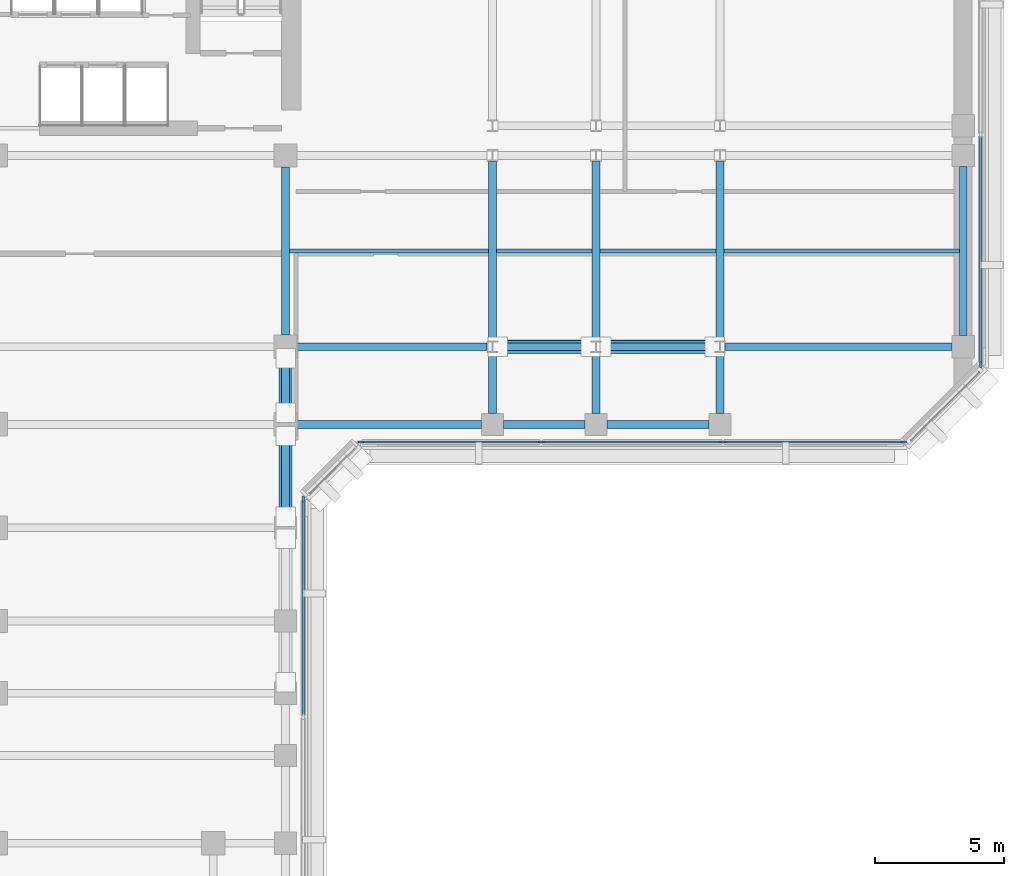
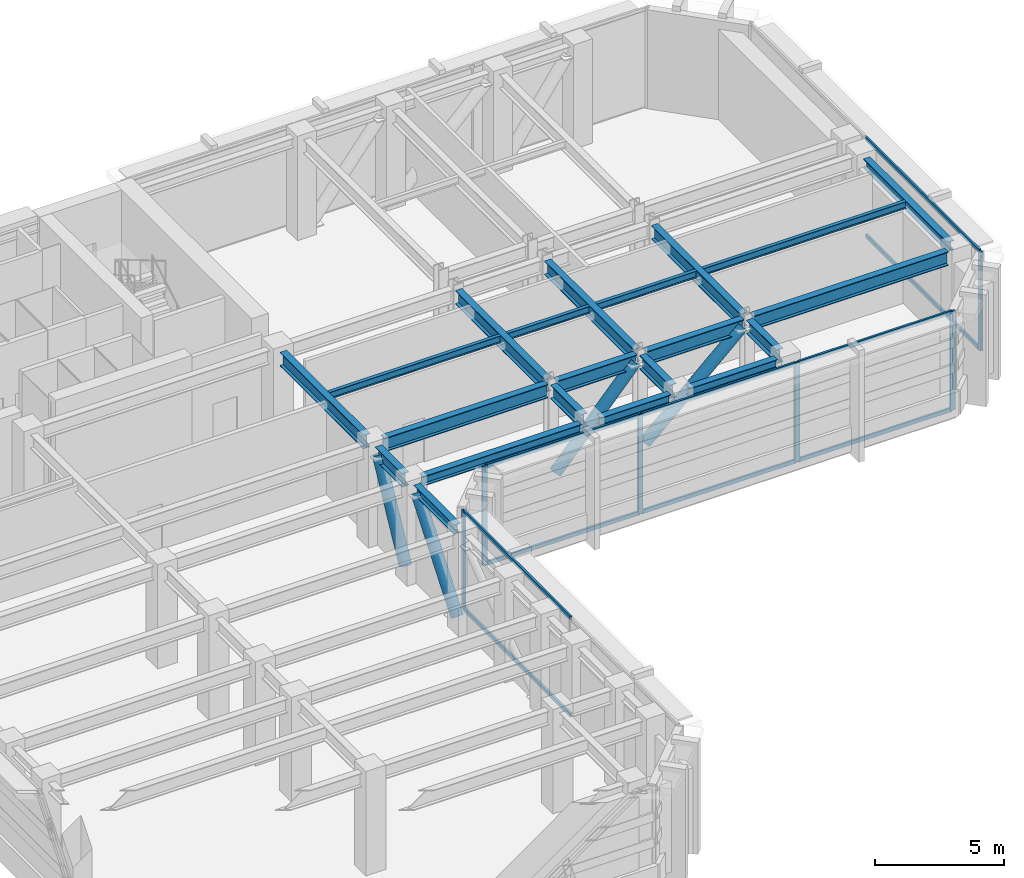
# One storey, part 3 of 12: 21 beams, 20 members, 3 elements without a shape of their own.
"""IFC4 building model written with IfcOpenShell, lengths in metres."""

from ifc_helpers import new_model, si_unit, direction, frame, origin, origin_2d, place, context, subcontext, project, spatial, rectangle, hollow_circle, i_section, extrude, material, layer, layer_set, material_profile, profile_set, type_object, element, aggregate, save


model = new_model("IFC4")

# Units and contexts
model_context = context("Model", 3, precision=1e-05, world=origin(), true_north=direction((0.0, 1.0)))
body_context = subcontext(model_context, "Body", "Model", "MODEL_VIEW")
ifc_project = project(units=[si_unit("LENGTHUNIT", "METRE"), si_unit("AREAUNIT", "SQUARE_METRE"), si_unit("VOLUMEUNIT", "CUBIC_METRE"), si_unit("PLANEANGLEUNIT", "RADIAN"), si_unit("MASSUNIT", "GRAM", prefix="KILO")], contexts=[model_context])

# Site, building, storey
site_placement = place(None, origin())
site = spatial("IfcSite", under=ifc_project, at=site_placement, CompositionType="ELEMENT")
building_placement = place(site_placement, origin())
building = spatial("IfcBuilding", under=site, at=building_placement, Name="Kefirva Bronze Tower", CompositionType="ELEMENT")
storey_placement = place(building_placement, frame((0.0, 0.0, 174.570068359375)))
storey = spatial("IfcBuildingStorey", under=building, at=storey_placement, Name="L42", CompositionType="ELEMENT", Elevation=174.570068359375)

# Curtain wall, member
ifc_material_1 = material(Name="Bronze anodised aluminium", Category="aluminium")
ifc_layer = layer(ifc_material_1, 0.219970703125, Name="Bronze anodised aluminium")
ifc_layer_set = layer_set([ifc_layer], Name="Bronze anodised aluminium")
curtain_wall_type = type_object("IfcCurtainWallType", Name="Refuge Acoustic Louvre Curtain Screen", PredefinedType="USERDEFINED", material=ifc_layer_set)
curtain_wall_1_placement = place(storey_placement, origin())
curtain_wall_1 = element("IfcCurtainWall", 1, at=curtain_wall_1_placement, inside=storey, type_object=curtain_wall_type, Name="L42 Curtain Wall 2", ObjectType="LOUVRE SCREEN WALL", PredefinedType="USERDEFINED")
ifc_material_profile_1 = material_profile(ifc_material_1, rectangle(XDim=0.090087890625, YDim=0.219970703125, at=origin_2d()), Name="ALU 90x220")
ifc_profile_set_1 = profile_set([ifc_material_profile_1], Name="Bronze anodised aluminium")
member_type_1 = type_object("IfcMemberType", Name="Bronze Mullion 90x220", PredefinedType="MULLION", material=ifc_profile_set_1)
member_1_placement = place(storey_placement, frame((23.8798828125, 19.89990234375, 0.0), z_axis=(0.0, 0.0, 1.0), x_axis=(-1.0, 0.0, 0.0)))
member_1 = element("IfcMember", 2, at=member_1_placement, type_object=member_type_1, Name="CW-06 mullion 3", PredefinedType="MULLION", context=body_context, shape_type="SweptSolid", body=[
    extrude(rectangle(XDim=0.090087890625, YDim=0.219970703125, at=origin_2d()), origin(), (0.0, 0.0, 1.0), 4.699951171875),
])

# Curtain wall, members
curtain_wall_2_placement = place(storey_placement, origin())
curtain_wall_2 = element("IfcCurtainWall", 3, at=curtain_wall_2_placement, inside=storey, type_object=curtain_wall_type, Name="L42 Curtain Wall 3", ObjectType="LOUVRE SCREEN WALL", PredefinedType="USERDEFINED")
member_2_placement = place(storey_placement, frame((26.10009765625, 22.1201171875, 0.0), z_axis=(0.0, 0.0, 1.0), x_axis=(0.0, 1.0, 0.0)))
member_2 = element("IfcMember", 4, at=member_2_placement, type_object=member_type_1, Name="CW-06 mullion 1", PredefinedType="MULLION", context=body_context, shape_type="SweptSolid", body=[
    extrude(rectangle(XDim=0.090087890625, YDim=0.219970703125, at=origin_2d()), origin(), (0.0, 0.0, 1.0), 4.699951171875),
])
member_3_placement = place(storey_placement, frame((33.0849609375, 22.1201171875, 0.0), z_axis=(0.0, 0.0, 1.0), x_axis=(0.0, 1.0, 0.0)))
member_3 = element("IfcMember", 5, at=member_3_placement, type_object=member_type_1, Name="CW-06 mullion 2", PredefinedType="MULLION", context=body_context, shape_type="SweptSolid", body=[
    extrude(rectangle(XDim=0.090087890625, YDim=0.219970703125, at=origin_2d()), origin(), (0.0, 0.0, 1.0), 4.699951171875),
])
member_4_placement = place(storey_placement, frame((40.114990234375, 22.1201171875, 0.0), z_axis=(0.0, 0.0, 1.0), x_axis=(0.0, 1.0, 0.0)))
member_4 = element("IfcMember", 6, at=member_4_placement, type_object=member_type_1, Name="CW-06 mullion 3", PredefinedType="MULLION", context=body_context, shape_type="SweptSolid", body=[
    extrude(rectangle(XDim=0.090087890625, YDim=0.219970703125, at=origin_2d()), origin(), (0.0, 0.0, 1.0), 4.699951171875),
])
member_5_placement = place(storey_placement, frame((47.10009765625, 22.1201171875, 0.0), z_axis=(0.0, 0.0, 1.0), x_axis=(0.0, 1.0, 0.0)))
member_5 = element("IfcMember", 7, at=member_5_placement, type_object=member_type_1, Name="CW-06 mullion 4", PredefinedType="MULLION", context=body_context, shape_type="SweptSolid", body=[
    extrude(rectangle(XDim=0.090087890625, YDim=0.219970703125, at=origin_2d()), origin(), (0.0, 0.0, 1.0), 4.699951171875),
])

# Curtain wall, member
curtain_wall_3_placement = place(storey_placement, origin())
curtain_wall_3 = element("IfcCurtainWall", 8, at=curtain_wall_3_placement, inside=storey, type_object=curtain_wall_type, Name="L42 Curtain Wall 4", ObjectType="LOUVRE SCREEN WALL", PredefinedType="USERDEFINED")
member_6_placement = place(storey_placement, frame((50.080078125, 25.10009765625, 0.0), z_axis=(0.0, 0.0, 1.0), x_axis=(-1.0, 0.0, 0.0)))
member_6 = element("IfcMember", 9, at=member_6_placement, type_object=member_type_1, Name="CW-06 mullion 1", PredefinedType="MULLION", context=body_context, shape_type="SweptSolid", body=[
    extrude(rectangle(XDim=0.090087890625, YDim=0.219970703125, at=origin_2d()), origin(), (0.0, 0.0, 1.0), 4.699951171875),
])

# Member
ifc_material_profile_2 = material_profile(ifc_material_1, rectangle(XDim=0.090087890625, YDim=0.179931640625, at=origin_2d()), Name="ALU 90x180")
ifc_profile_set_2 = profile_set([ifc_material_profile_2], Name="Bronze anodised aluminium")
member_type_2 = type_object("IfcMemberType", Name="Bronze Transom 90x180", PredefinedType="USERDEFINED", material=ifc_profile_set_2)
member_7_placement = place(storey_placement, frame((23.8798828125, 11.544921875, 0.044921875), z_axis=(0.0, 1.0, 0.0), x_axis=(-1.0, 0.0, 0.0)))
member_7 = element("IfcMember", 10, at=member_7_placement, type_object=member_type_2, Name="CW-06 transom 2.1", ObjectType="TRANSOM", PredefinedType="USERDEFINED", context=body_context, shape_type="SweptSolid", body=[
    extrude(rectangle(XDim=0.090087890625, YDim=0.179931640625, at=origin_2d()), origin(), (0.0, 0.0, 1.0), 8.31005859375),
])

member_8_placement = place(storey_placement, frame((23.8798828125, 11.544921875, 4.655029296875), z_axis=(0.0, 1.0, 0.0), x_axis=(-1.0, 0.0, 0.0)))
member_8 = element("IfcMember", 11, at=member_8_placement, type_object=member_type_2, Name="CW-06 transom 2.2", ObjectType="TRANSOM", PredefinedType="USERDEFINED", context=body_context, shape_type="SweptSolid", body=[
    extrude(rectangle(XDim=0.090087890625, YDim=0.179931640625, at=origin_2d()), origin(), (0.0, 0.0, 1.0), 8.31005859375),
])

aggregate(curtain_wall_1, [member_1, member_7, member_8])

member_9_placement = place(storey_placement, frame((26.14501953125, 22.1201171875, 0.044921875), z_axis=(1.0, 0.0, 0.0), x_axis=(0.0, 1.0, 0.0)))
member_9 = element("IfcMember", 12, at=member_9_placement, type_object=member_type_2, Name="CW-06 transom 1.1", ObjectType="TRANSOM", PredefinedType="USERDEFINED", context=body_context, shape_type="SweptSolid", body=[
    extrude(rectangle(XDim=0.090087890625, YDim=0.179931640625, at=origin_2d()), origin(), (0.0, 0.0, 1.0), 6.89501953125),
])

member_10_placement = place(storey_placement, frame((26.14501953125, 22.1201171875, 4.655029296875), z_axis=(1.0, 0.0, 0.0), x_axis=(0.0, 1.0, 0.0)))
member_10 = element("IfcMember", 13, at=member_10_placement, type_object=member_type_2, Name="CW-06 transom 1.2", ObjectType="TRANSOM", PredefinedType="USERDEFINED", context=body_context, shape_type="SweptSolid", body=[
    extrude(rectangle(XDim=0.090087890625, YDim=0.179931640625, at=origin_2d()), origin(), (0.0, 0.0, 1.0), 6.89501953125),
])

member_11_placement = place(storey_placement, frame((33.1298828125, 22.1201171875, 0.044921875), z_axis=(1.0, 0.0, 0.0), x_axis=(0.0, 1.0, 0.0)))
member_11 = element("IfcMember", 14, at=member_11_placement, type_object=member_type_2, Name="CW-06 transom 2.1", ObjectType="TRANSOM", PredefinedType="USERDEFINED", context=body_context, shape_type="SweptSolid", body=[
    extrude(rectangle(XDim=0.090087890625, YDim=0.179931640625, at=origin_2d()), origin(), (0.0, 0.0, 1.0), 6.940185546875),
])

member_12_placement = place(storey_placement, frame((33.1298828125, 22.1201171875, 4.655029296875), z_axis=(1.0, 0.0, 0.0), x_axis=(0.0, 1.0, 0.0)))
member_12 = element("IfcMember", 15, at=member_12_placement, type_object=member_type_2, Name="CW-06 transom 2.2", ObjectType="TRANSOM", PredefinedType="USERDEFINED", context=body_context, shape_type="SweptSolid", body=[
    extrude(rectangle(XDim=0.090087890625, YDim=0.179931640625, at=origin_2d()), origin(), (0.0, 0.0, 1.0), 6.940185546875),
])

member_13_placement = place(storey_placement, frame((40.159912109375, 22.1201171875, 0.044921875), z_axis=(1.0, 0.0, 0.0), x_axis=(0.0, 1.0, 0.0)))
member_13 = element("IfcMember", 16, at=member_13_placement, type_object=member_type_2, Name="CW-06 transom 3.1", ObjectType="TRANSOM", PredefinedType="USERDEFINED", context=body_context, shape_type="SweptSolid", body=[
    extrude(rectangle(XDim=0.090087890625, YDim=0.179931640625, at=origin_2d()), origin(), (0.0, 0.0, 1.0), 6.89501953125),
])

member_14_placement = place(storey_placement, frame((40.159912109375, 22.1201171875, 4.655029296875), z_axis=(1.0, 0.0, 0.0), x_axis=(0.0, 1.0, 0.0)))
member_14 = element("IfcMember", 17, at=member_14_placement, type_object=member_type_2, Name="CW-06 transom 3.2", ObjectType="TRANSOM", PredefinedType="USERDEFINED", context=body_context, shape_type="SweptSolid", body=[
    extrude(rectangle(XDim=0.090087890625, YDim=0.179931640625, at=origin_2d()), origin(), (0.0, 0.0, 1.0), 6.89501953125),
])

aggregate(curtain_wall_2, [member_2, member_3, member_4, member_5, member_9, member_10, member_11, member_12, member_13, member_14])

member_15_placement = place(storey_placement, frame((50.080078125, 25.14501953125, 0.044921875), z_axis=(0.0, 1.0, 0.0), x_axis=(-1.0, 0.0, 0.0)))
member_15 = element("IfcMember", 18, at=member_15_placement, type_object=member_type_2, Name="CW-06 transom 1.1", ObjectType="TRANSOM", PredefinedType="USERDEFINED", context=body_context, shape_type="SweptSolid", body=[
    extrude(rectangle(XDim=0.090087890625, YDim=0.179931640625, at=origin_2d()), origin(), (0.0, 0.0, 1.0), 8.81005859375),
])

member_16_placement = place(storey_placement, frame((50.080078125, 25.14501953125, 4.655029296875), z_axis=(0.0, 1.0, 0.0), x_axis=(-1.0, 0.0, 0.0)))
member_16 = element("IfcMember", 19, at=member_16_placement, type_object=member_type_2, Name="CW-06 transom 1.2", ObjectType="TRANSOM", PredefinedType="USERDEFINED", context=body_context, shape_type="SweptSolid", body=[
    extrude(rectangle(XDim=0.090087890625, YDim=0.179931640625, at=origin_2d()), origin(), (0.0, 0.0, 1.0), 8.81005859375),
])

aggregate(curtain_wall_3, [member_6, member_15, member_16])

# Members
ifc_material_2 = material(Name="Steel S460", Category="steel")
ifc_material_profile_3 = material_profile(ifc_material_2, hollow_circle(Radius=0.25390625, WallThickness=0.02001953125, at=origin_2d()), Name="CHS 508x20")
ifc_profile_set_3 = profile_set([ifc_material_profile_3], Name="Steel S460")
member_type_3 = type_object("IfcMemberType", Name="Steel Belt Brace CHS 508x20", PredefinedType="BRACE", material=ifc_profile_set_3)
member_17_placement = place(storey_placement, frame((23.199951171875, 19.22998046875, 0.300048828125), z_axis=(0.0, 0.615046160893, 0.788491103292), x_axis=(-1.0, 0.0, 0.0)))
element("IfcMember", 20, at=member_17_placement, inside=storey, type_object=member_type_3, Name="L42 Outrigger Belt Brace 6", PredefinedType="BRACE", context=body_context, shape_type="SweptSolid", body=[
    extrude(hollow_circle(Radius=0.25390625, WallThickness=0.02001953125, at=origin_2d()), origin(), (0.0, 0.0, 1.0), 5.072998046875),
])
member_18_placement = place(storey_placement, frame((23.199951171875, 23.25, 0.300048828125), z_axis=(0.0, 0.464850844279, 0.885389006355), x_axis=(-1.0, 0.0, 0.0)))
element("IfcMember", 21, at=member_18_placement, inside=storey, type_object=member_type_3, Name="L42 Outrigger Belt Brace 7", PredefinedType="BRACE", context=body_context, shape_type="SweptSolid", body=[
    extrude(hollow_circle(Radius=0.25390625, WallThickness=0.02001953125, at=origin_2d()), origin(), (0.0, 0.0, 1.0), 4.517822265625),
])
member_19_placement = place(storey_placement, frame((31.408935546875, 25.800048828125, 0.300048828125), z_axis=(0.66711377738, 0.0, 0.744955843007), x_axis=(0.0, 1.0, 0.0)))
element("IfcMember", 22, at=member_19_placement, inside=storey, type_object=member_type_3, Name="L42 Outrigger Belt Brace 8", PredefinedType="BRACE", context=body_context, shape_type="SweptSolid", body=[
    extrude(hollow_circle(Radius=0.25390625, WallThickness=0.02001953125, at=origin_2d()), origin(), (0.0, 0.0, 1.0), 5.369384765625),
])
member_20_placement = place(storey_placement, frame((35.408935546875, 25.800048828125, 0.300048828125), z_axis=(0.738571899418, 0.0, 0.674174717258), x_axis=(0.0, 1.0, 0.0)))
element("IfcMember", 23, at=member_20_placement, inside=storey, type_object=member_type_3, Name="L42 Outrigger Belt Brace 9", PredefinedType="BRACE", context=body_context, shape_type="SweptSolid", body=[
    extrude(hollow_circle(Radius=0.25390625, WallThickness=0.02001953125, at=origin_2d()), origin(), (0.0, 0.0, 1.0), 5.93310546875),
])

# Beams
ifc_material_3 = material(Name="Steel S355", Category="steel")
ifc_material_profile_4 = material_profile(ifc_material_3, i_section(OverallWidth=0.159912109375, OverallDepth=0.330078125, WebThickness=0.007568359375, FlangeThickness=0.011474609375, at=origin_2d()), Name="IPE 330")
ifc_profile_set_4 = profile_set([ifc_material_profile_4], Name="Steel S355")
beam_type_1 = type_object("IfcBeamType", Name="Steel Floor Joist IPE 330", PredefinedType="JOIST", material=ifc_profile_set_4)
beam_1_placement = place(storey_placement, frame((23.35009765625, 29.5, 4.534912109375), z_axis=(1.0, 0.0, 0.0), x_axis=(0.0, 1.0, 0.0)))
element("IfcBeam", 24, at=beam_1_placement, inside=storey, type_object=beam_type_1, Name="L42 JST-L42-23-295", PredefinedType="JOIST", context=body_context, shape_type="SweptSolid", body=[
    extrude(i_section(OverallWidth=0.159912109375, OverallDepth=0.330078125, WebThickness=0.007568359375, FlangeThickness=0.011474609375, at=origin_2d()), origin(), (0.0, 0.0, 1.0), 7.699951171875),
])
beam_2_placement = place(storey_placement, frame((31.35009765625, 29.5, 4.534912109375), z_axis=(1.0, 0.0, 0.0), x_axis=(0.0, 1.0, 0.0)))
element("IfcBeam", 25, at=beam_2_placement, inside=storey, type_object=beam_type_1, Name="L42 JST-L42-31-295", PredefinedType="JOIST", context=body_context, shape_type="SweptSolid", body=[
    extrude(i_section(OverallWidth=0.159912109375, OverallDepth=0.330078125, WebThickness=0.007568359375, FlangeThickness=0.011474609375, at=origin_2d()), origin(), (0.0, 0.0, 1.0), 3.699951171875),
])
beam_3_placement = place(storey_placement, frame((35.35009765625, 29.5, 4.534912109375), z_axis=(1.0, 0.0, 0.0), x_axis=(0.0, 1.0, 0.0)))
element("IfcBeam", 26, at=beam_3_placement, inside=storey, type_object=beam_type_1, Name="L42 JST-L42-35-295", PredefinedType="JOIST", context=body_context, shape_type="SweptSolid", body=[
    extrude(i_section(OverallWidth=0.159912109375, OverallDepth=0.330078125, WebThickness=0.007568359375, FlangeThickness=0.011474609375, at=origin_2d()), origin(), (0.0, 0.0, 1.0), 4.5),
])
beam_4_placement = place(storey_placement, frame((40.14990234375, 29.5, 4.534912109375), z_axis=(1.0, 0.0, 0.0), x_axis=(0.0, 1.0, 0.0)))
element("IfcBeam", 27, at=beam_4_placement, inside=storey, type_object=beam_type_1, Name="L42 JST-L42-40-295", PredefinedType="JOIST", context=body_context, shape_type="SweptSolid", body=[
    extrude(i_section(OverallWidth=0.159912109375, OverallDepth=0.330078125, WebThickness=0.007568359375, FlangeThickness=0.011474609375, at=origin_2d()), origin(), (0.0, 0.0, 1.0), 9.10009765625),
])
ifc_material_profile_5 = material_profile(ifc_material_3, i_section(OverallWidth=0.300048828125, OverallDepth=0.64990234375, WebThickness=0.01611328125, FlangeThickness=0.031005859375, at=origin_2d()), Name="HEB 650")
ifc_profile_set_5 = profile_set([ifc_material_profile_5], Name="Steel S355")
beam_type_2 = type_object("IfcBeamType", Name="Steel Girder HEB 650", PredefinedType="USERDEFINED", material=ifc_profile_set_5)
beam_5_placement = place(storey_placement, frame((23.64990234375, 25.800048828125, 4.375), z_axis=(1.0, 0.0, 0.0), x_axis=(0.0, 1.0, 0.0)))
element("IfcBeam", 28, at=beam_5_placement, inside=storey, type_object=beam_type_2, Name="L42 BM-L42-EW-23-258", ObjectType="GIRDER", PredefinedType="USERDEFINED", context=body_context, shape_type="SweptSolid", body=[
    extrude(i_section(OverallWidth=0.300048828125, OverallDepth=0.64990234375, WebThickness=0.01611328125, FlangeThickness=0.031005859375, at=origin_2d()), origin(), (0.0, 0.0, 1.0), 7.341064453125),
])
beam_6_placement = place(storey_placement, frame((31.408935546875, 25.800048828125, 4.375), z_axis=(1.0, 0.0, 0.0), x_axis=(0.0, 1.0, 0.0)))
element("IfcBeam", 29, at=beam_6_placement, inside=storey, type_object=beam_type_2, Name="L42 BM-L42-EW-31-258", ObjectType="GIRDER", PredefinedType="USERDEFINED", context=body_context, shape_type="SweptSolid", body=[
    extrude(i_section(OverallWidth=0.300048828125, OverallDepth=0.64990234375, WebThickness=0.01611328125, FlangeThickness=0.031005859375, at=origin_2d()), origin(), (0.0, 0.0, 1.0), 3.58203125),
])
beam_7_placement = place(storey_placement, frame((35.408935546875, 25.800048828125, 4.375), z_axis=(1.0, 0.0, 0.0), x_axis=(0.0, 1.0, 0.0)))
element("IfcBeam", 30, at=beam_7_placement, inside=storey, type_object=beam_type_2, Name="L42 BM-L42-EW-35-258", ObjectType="GIRDER", PredefinedType="USERDEFINED", context=body_context, shape_type="SweptSolid", body=[
    extrude(i_section(OverallWidth=0.300048828125, OverallDepth=0.64990234375, WebThickness=0.01611328125, FlangeThickness=0.031005859375, at=origin_2d()), origin(), (0.0, 0.0, 1.0), 4.382080078125),
])
beam_8_placement = place(storey_placement, frame((40.208984375, 25.800048828125, 4.375), z_axis=(1.0, 0.0, 0.0), x_axis=(0.0, 1.0, 0.0)))
element("IfcBeam", 31, at=beam_8_placement, inside=storey, type_object=beam_type_2, Name="L42 BM-L42-EW-40-258", ObjectType="GIRDER", PredefinedType="USERDEFINED", context=body_context, shape_type="SweptSolid", body=[
    extrude(i_section(OverallWidth=0.300048828125, OverallDepth=0.64990234375, WebThickness=0.01611328125, FlangeThickness=0.031005859375, at=origin_2d()), origin(), (0.0, 0.0, 1.0), 8.760986328125),
])
beam_9_placement = place(storey_placement, frame((23.199951171875, 23.25, 4.375), z_axis=(0.0, 1.0, 0.0), x_axis=(-1.0, 0.0, 0.0)))
element("IfcBeam", 32, at=beam_9_placement, inside=storey, type_object=beam_type_2, Name="L42 BM-L42-NS-232-22", ObjectType="GIRDER", PredefinedType="USERDEFINED", context=body_context, shape_type="SweptSolid", body=[
    extrude(i_section(OverallWidth=0.300048828125, OverallDepth=0.64990234375, WebThickness=0.01611328125, FlangeThickness=0.031005859375, at=origin_2d()), origin(), (0.0, 0.0, 1.0), 2.10009765625),
])
beam_10_placement = place(storey_placement, frame((23.199951171875, 26.25, 4.375), z_axis=(0.0, 1.0, 0.0), x_axis=(-1.0, 0.0, 0.0)))
element("IfcBeam", 33, at=beam_10_placement, inside=storey, type_object=beam_type_2, Name="L42 BM-L42-NS-232-25", ObjectType="GIRDER", PredefinedType="USERDEFINED", context=body_context, shape_type="SweptSolid", body=[
    extrude(i_section(OverallWidth=0.300048828125, OverallDepth=0.64990234375, WebThickness=0.01611328125, FlangeThickness=0.031005859375, at=origin_2d()), origin(), (0.0, 0.0, 1.0), 6.5),
])
beam_11_placement = place(storey_placement, frame((31.199951171875, 23.22998046875, 4.375), z_axis=(0.0, 1.0, 0.0), x_axis=(-1.0, 0.0, 0.0)))
element("IfcBeam", 34, at=beam_11_placement, inside=storey, type_object=beam_type_2, Name="L42 BM-L42-NS-312-22", ObjectType="GIRDER", PredefinedType="USERDEFINED", context=body_context, shape_type="SweptSolid", body=[
    extrude(i_section(OverallWidth=0.300048828125, OverallDepth=0.64990234375, WebThickness=0.01611328125, FlangeThickness=0.031005859375, at=origin_2d()), origin(), (0.0, 0.0, 1.0), 2.342529296875),
])
beam_12_placement = place(storey_placement, frame((31.199951171875, 26.027587890625, 4.375), z_axis=(0.0, 1.0, 0.0), x_axis=(-1.0, 0.0, 0.0)))
element("IfcBeam", 35, at=beam_12_placement, inside=storey, type_object=beam_type_2, Name="L42 BM-L42-NS-312-25", ObjectType="GIRDER", PredefinedType="USERDEFINED", context=body_context, shape_type="SweptSolid", body=[
    extrude(i_section(OverallWidth=0.300048828125, OverallDepth=0.64990234375, WebThickness=0.01611328125, FlangeThickness=0.031005859375, at=origin_2d()), origin(), (0.0, 0.0, 1.0), 6.94482421875),
])
beam_13_placement = place(storey_placement, frame((35.199951171875, 23.22998046875, 4.375), z_axis=(0.0, 1.0, 0.0), x_axis=(-1.0, 0.0, 0.0)))
element("IfcBeam", 36, at=beam_13_placement, inside=storey, type_object=beam_type_2, Name="L42 BM-L42-NS-352-22", ObjectType="GIRDER", PredefinedType="USERDEFINED", context=body_context, shape_type="SweptSolid", body=[
    extrude(i_section(OverallWidth=0.300048828125, OverallDepth=0.64990234375, WebThickness=0.01611328125, FlangeThickness=0.031005859375, at=origin_2d()), origin(), (0.0, 0.0, 1.0), 2.342529296875),
])
beam_14_placement = place(storey_placement, frame((35.199951171875, 26.027587890625, 4.375), z_axis=(0.0, 1.0, 0.0), x_axis=(-1.0, 0.0, 0.0)))
element("IfcBeam", 37, at=beam_14_placement, inside=storey, type_object=beam_type_2, Name="L42 BM-L42-NS-352-25", ObjectType="GIRDER", PredefinedType="USERDEFINED", context=body_context, shape_type="SweptSolid", body=[
    extrude(i_section(OverallWidth=0.300048828125, OverallDepth=0.64990234375, WebThickness=0.01611328125, FlangeThickness=0.031005859375, at=origin_2d()), origin(), (0.0, 0.0, 1.0), 6.94482421875),
])
beam_15_placement = place(storey_placement, frame((40.0, 23.22998046875, 4.375), z_axis=(0.0, 1.0, 0.0), x_axis=(-1.0, 0.0, 0.0)))
element("IfcBeam", 38, at=beam_15_placement, inside=storey, type_object=beam_type_2, Name="L42 BM-L42-NS-400-22", ObjectType="GIRDER", PredefinedType="USERDEFINED", context=body_context, shape_type="SweptSolid", body=[
    extrude(i_section(OverallWidth=0.300048828125, OverallDepth=0.64990234375, WebThickness=0.01611328125, FlangeThickness=0.031005859375, at=origin_2d()), origin(), (0.0, 0.0, 1.0), 2.342529296875),
])
beam_16_placement = place(storey_placement, frame((40.0, 26.027587890625, 4.375), z_axis=(0.0, 1.0, 0.0), x_axis=(-1.0, 0.0, 0.0)))
element("IfcBeam", 39, at=beam_16_placement, inside=storey, type_object=beam_type_2, Name="L42 BM-L42-NS-400-25", ObjectType="GIRDER", PredefinedType="USERDEFINED", context=body_context, shape_type="SweptSolid", body=[
    extrude(i_section(OverallWidth=0.300048828125, OverallDepth=0.64990234375, WebThickness=0.01611328125, FlangeThickness=0.031005859375, at=origin_2d()), origin(), (0.0, 0.0, 1.0), 6.94482421875),
])
ifc_material_profile_6 = material_profile(ifc_material_3, i_section(OverallWidth=0.300048828125, OverallDepth=0.449951171875, WebThickness=0.013916015625, FlangeThickness=0.02587890625, at=origin_2d()), Name="HEB 450")
ifc_profile_set_6 = profile_set([ifc_material_profile_6], Name="Steel S355")
beam_type_3 = type_object("IfcBeamType", Name="Steel Spandrel HEB 450 Ext", PredefinedType="SPANDREL", material=ifc_profile_set_6)
beam_17_placement = place(storey_placement, frame((23.64990234375, 22.800048828125, 4.474853515625), z_axis=(1.0, 0.0, 0.0), x_axis=(0.0, 1.0, 0.0)))
element("IfcBeam", 40, at=beam_17_placement, inside=storey, type_object=beam_type_3, Name="L42 BM-L42-EW-23-228", PredefinedType="SPANDREL", context=body_context, shape_type="SweptSolid", body=[
    extrude(i_section(OverallWidth=0.300048828125, OverallDepth=0.449951171875, WebThickness=0.013916015625, FlangeThickness=0.02587890625, at=origin_2d()), origin(), (0.0, 0.0, 1.0), 7.1201171875),
])
beam_18_placement = place(storey_placement, frame((31.6298828125, 22.800048828125, 4.474853515625), z_axis=(1.0, 0.0, 0.0), x_axis=(0.0, 1.0, 0.0)))
element("IfcBeam", 41, at=beam_18_placement, inside=storey, type_object=beam_type_3, Name="L42 BM-L42-EW-31-228", PredefinedType="SPANDREL", context=body_context, shape_type="SweptSolid", body=[
    extrude(i_section(OverallWidth=0.300048828125, OverallDepth=0.449951171875, WebThickness=0.013916015625, FlangeThickness=0.02587890625, at=origin_2d()), origin(), (0.0, 0.0, 1.0), 3.14013671875),
])
beam_19_placement = place(storey_placement, frame((35.6298828125, 22.800048828125, 4.474853515625), z_axis=(1.0, 0.0, 0.0), x_axis=(0.0, 1.0, 0.0)))
element("IfcBeam", 42, at=beam_19_placement, inside=storey, type_object=beam_type_3, Name="L42 BM-L42-EW-35-228", PredefinedType="SPANDREL", context=body_context, shape_type="SweptSolid", body=[
    extrude(i_section(OverallWidth=0.300048828125, OverallDepth=0.449951171875, WebThickness=0.013916015625, FlangeThickness=0.02587890625, at=origin_2d()), origin(), (0.0, 0.0, 1.0), 3.940185546875),
])
beam_20_placement = place(storey_placement, frame((23.199951171875, 19.22998046875, 4.474853515625), z_axis=(0.0, 1.0, 0.0), x_axis=(-1.0, 0.0, 0.0)))
element("IfcBeam", 43, at=beam_20_placement, inside=storey, type_object=beam_type_3, Name="L42 BM-L42-NS-232-18", PredefinedType="SPANDREL", context=body_context, shape_type="SweptSolid", body=[
    extrude(i_section(OverallWidth=0.300048828125, OverallDepth=0.449951171875, WebThickness=0.013916015625, FlangeThickness=0.02587890625, at=origin_2d()), origin(), (0.0, 0.0, 1.0), 3.1201171875),
])
beam_21_placement = place(storey_placement, frame((49.39990234375, 26.22998046875, 4.474853515625), z_axis=(0.0, 1.0, 0.0), x_axis=(-1.0, 0.0, 0.0)))
element("IfcBeam", 44, at=beam_21_placement, inside=storey, type_object=beam_type_3, Name="L42 BM-L42-NS-494-25", PredefinedType="SPANDREL", context=body_context, shape_type="SweptSolid", body=[
    extrude(i_section(OverallWidth=0.300048828125, OverallDepth=0.449951171875, WebThickness=0.013916015625, FlangeThickness=0.02587890625, at=origin_2d()), origin(), (0.0, 0.0, 1.0), 6.5400390625),
])

save(model, "model.ifc")
